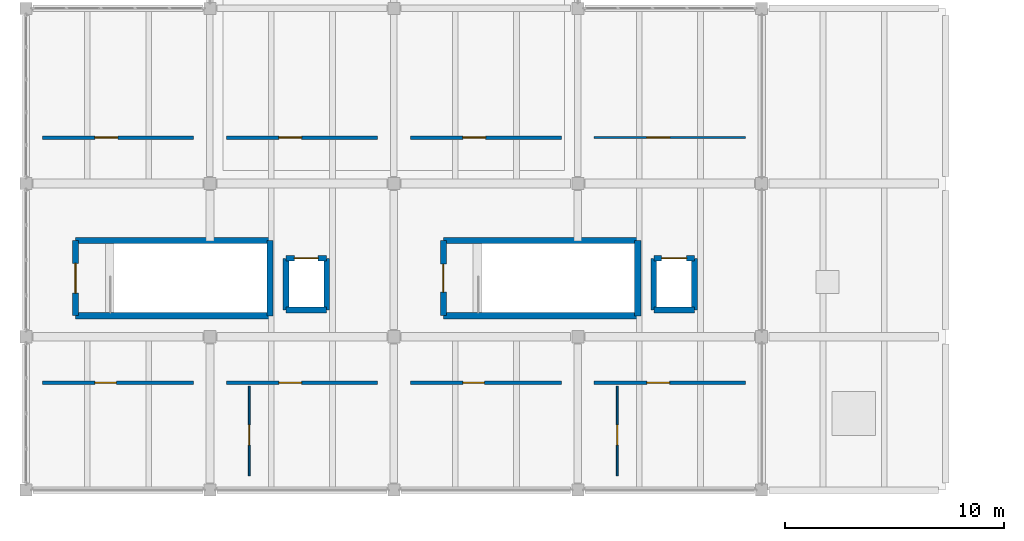
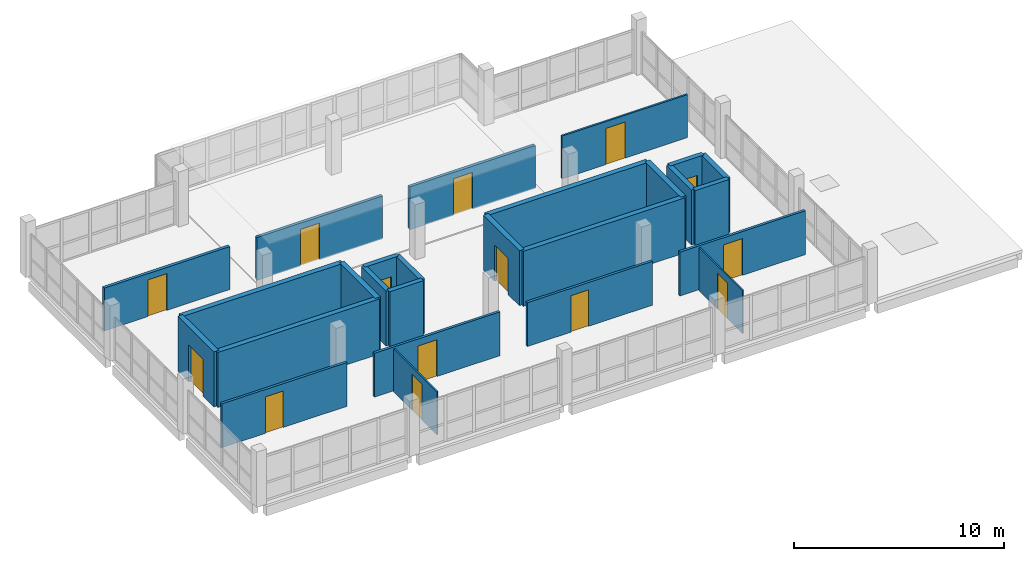
# One storey, part 22 of 24: 26 walls, 14 doors, 14 openings.
"""IFC4 building model written with IfcOpenShell, lengths in metres."""

import ifcopenshell
import ifcopenshell.guid

model = None  # the IFC model being written
_history = None  # IfcOwnerHistory: only IFC2X3 demands one
_inside = {}  # id of a spatial element -> (the spatial element, [elements in it])
_under = {}  # id of a project, library or spatial element -> (it, [spatial elements below it])
_declared = {}  # id of a project -> (the project, [libraries it declares])
_typed = {}  # id of a type object -> (the type object, [elements of that type])
_made_of = {}  # id of a material, layer set ... -> (it, [elements and type objects made of it])


def new_model(schema):
    """Start an empty IFC model of exactly this schema.

    Asked for "IFC4X3", IfcOpenShell would pick the latest addendum, in which some entities
    have other attributes; the version numbers below select the first issue.
    IFC2X3 requires an IfcOwnerHistory on every rooted entity: one is made here for all.
    """
    global model, _history
    if schema == "IFC4X3":
        model = ifcopenshell.file(schema_version=(4, 3, 0, 0))
    else:
        model = ifcopenshell.file(schema=schema)
    _inside.clear()
    _under.clear()
    _declared.clear()
    _typed.clear()
    _made_of.clear()
    _history = None
    if model.schema == "IFC2X3":
        org = make("IfcOrganization", Name="unknown")
        user = make(
            "IfcPersonAndOrganization",
            ThePerson=make("IfcPerson", FamilyName="unknown"),
            TheOrganization=org,
        )
        app = make(
            "IfcApplication",
            ApplicationDeveloper=org,
            Version="unknown",
            ApplicationFullName="unknown",
            ApplicationIdentifier="unknown",
        )
        _history = make(
            "IfcOwnerHistory",
            OwningUser=user,
            OwningApplication=app,
            ChangeAction="ADDED",
            CreationDate=0,
        )
    return model


def make(cls, **values):
    """One entity of the class cls with the attributes given. An attribute that is None is left unset."""
    return model.create_entity(
        cls, **{name: value for name, value in values.items() if value is not None}
    )


def rooted(cls, **values):
    """An entity with a GlobalId (a new one), such as an element, a storey or a relation."""
    return make(cls, GlobalId=ifcopenshell.guid.new(), OwnerHistory=_history, **values)


def si_unit(unit_type, name, prefix=None):
    """IfcSIUnit, for example si_unit("LENGTHUNIT", "METRE", prefix="MILLI")."""
    return make("IfcSIUnit", UnitType=unit_type, Prefix=prefix, Name=name)


def assignment(units):
    """IfcUnitAssignment: the units of a project."""
    return None if units is None else make("IfcUnitAssignment", Units=units)


def point(xyz):
    """IfcCartesianPoint."""
    return None if xyz is None else make("IfcCartesianPoint", Coordinates=xyz)


def direction(xyz):
    """IfcDirection."""
    return None if xyz is None else make("IfcDirection", DirectionRatios=xyz)


def frame(location, z_axis=None, x_axis=None):
    """IfcAxis2Placement3D, a coordinate frame: its origin and axes. An axis left out is left unset."""
    return make(
        "IfcAxis2Placement3D",
        Location=point(location),
        Axis=direction(z_axis),
        RefDirection=direction(x_axis),
    )


def frame_2d(location, x_axis=None):
    """IfcAxis2Placement2D, a coordinate frame in the plane: its origin and x axis."""
    return make(
        "IfcAxis2Placement2D", Location=point(location), RefDirection=direction(x_axis)
    )


def origin():
    """The frame at (0, 0, 0) with its axes left unset."""
    return frame((0.0, 0.0, 0.0))


def place(relative_to, where):
    """IfcLocalPlacement: puts the frame where relative to a parent placement (None: the world)."""
    return make(
        "IfcLocalPlacement", PlacementRelTo=relative_to, RelativePlacement=where
    )


def context(
    kind, dimensions, precision=None, world=None, true_north=None, identifier=None
):
    """IfcGeometricRepresentationContext, for example the 3D "Model" context."""
    return make(
        "IfcGeometricRepresentationContext",
        ContextIdentifier=identifier,
        ContextType=kind,
        CoordinateSpaceDimension=dimensions,
        Precision=precision,
        WorldCoordinateSystem=world,
        TrueNorth=true_north,
    )


def subcontext(parent, identifier, kind, view, scale=None):
    """IfcGeometricRepresentationSubContext, for example "Body" below "Model"."""
    return make(
        "IfcGeometricRepresentationSubContext",
        ContextIdentifier=identifier,
        ContextType=kind,
        ParentContext=parent,
        TargetScale=scale,
        TargetView=view,
    )


def project(units=None, contexts=None):
    """IfcProject with its units and contexts."""
    return rooted(
        "IfcProject",
        Name="project",
        RepresentationContexts=contexts,
        UnitsInContext=assignment(units),
    )


def spatial(cls, under=None, at=None, **own):
    """A site, building, storey or space (cls), placed at a placement, below another one or the project."""
    s = rooted(cls, ObjectPlacement=at, **own)
    if under is not None:
        _under.setdefault(under.id(), (under, []))[1].append(s)
    return s


def profile(cls, at=None, kind="AREA", **sizes):
    """A parametric profile (cls). Its sizes go by their IFC names, for example OverallWidth=200.0."""
    return make(cls, ProfileType=kind, Position=at, **sizes)


def rectangle(**sizes):
    """IfcRectangleProfileDef."""
    return profile("IfcRectangleProfileDef", **sizes)


def extrude(swept, where, along, depth):
    """IfcExtrudedAreaSolid: the profile swept, set in the frame where, extruded along a direction by depth."""
    return make(
        "IfcExtrudedAreaSolid",
        SweptArea=swept,
        Position=where,
        ExtrudedDirection=direction(along),
        Depth=depth,
    )


def shape(context_of_items, identifier, shape_type, items):
    """IfcShapeRepresentation: the items that make up one representation, for example the "Body"."""
    return make(
        "IfcShapeRepresentation",
        ContextOfItems=context_of_items,
        RepresentationIdentifier=identifier,
        RepresentationType=shape_type,
        Items=items,
    )


def material(Name=None, Category=None):
    """IfcMaterial."""
    return make("IfcMaterial", Name=Name, Category=Category)


def layer(
    of_material, thickness, ventilated=None, Name=None, Category=None, Priority=None
):
    """IfcMaterialLayer: one layer of a wall or slab, of a material (None: an air gap)."""
    return make(
        "IfcMaterialLayer",
        Material=of_material,
        LayerThickness=thickness,
        IsVentilated=ventilated,
        Name=Name,
        Category=Category,
        Priority=Priority,
    )


def layer_set(layers, Name=None):
    """IfcMaterialLayerSet."""
    return make("IfcMaterialLayerSet", MaterialLayers=layers, LayerSetName=Name)


def made_of(thing, what):
    """Note that an element or type object is made of a material, layer set ...; save() writes the relation."""
    if what is not None:
        _made_of.setdefault(what.id(), (what, []))[1].append(thing)
    return thing


def type_object(cls, material=None, **own):
    """A type object (cls), such as IfcWallType, which elements share."""
    return made_of(rooted(cls, **own), material)


def element(
    cls,
    number,
    at=None,
    inside=None,
    cuts=None,
    type_object=None,
    material=None,
    context=None,
    identifier="Body",
    shape_type=None,
    held_by="IfcProductDefinitionShape",
    body=None,
    shapes=None,
    **own,
):
    """One element of the class cls, such as IfcWall. Its Tag is "e" and its number.

    at: its placement. inside: the storey or other place that contains it. cuts: it is an
    opening in that element (IfcRelVoidsElement). A single representation is given by context,
    identifier, shape_type and body (its items); several are given by shapes. held_by: the class
    of the entity that holds the representations. save() writes the other relations.
    """
    e = rooted(cls, Tag="e%d" % number, ObjectPlacement=at, **own)
    if body is not None:
        shapes = [shape(context, identifier, shape_type, body)]
    if shapes is not None:
        e.Representation = make(held_by, Representations=shapes)
    if inside is not None:
        _inside.setdefault(inside.id(), (inside, []))[1].append(e)
    if cuts is not None:
        rooted(
            "IfcRelVoidsElement", RelatingBuildingElement=cuts, RelatedOpeningElement=e
        )
    if type_object is not None:
        _typed.setdefault(type_object.id(), (type_object, []))[1].append(e)
    return made_of(e, material)


def fill(opening, filler):
    """IfcRelFillsElement: the door or window that sits in an opening."""
    return rooted(
        "IfcRelFillsElement",
        RelatingOpeningElement=opening,
        RelatedBuildingElement=filler,
    )


def aggregate(whole, parts):
    """IfcRelAggregates: a whole, such as a stair, and the parts it consists of."""
    return rooted("IfcRelAggregates", RelatingObject=whole, RelatedObjects=parts)


def save(model, path):
    """Write the relations noted so far, then the file.

    IfcRelAggregates (storeys below a building ...), IfcRelContainedInSpatialStructure (elements
    in a storey), IfcRelDefinesByType, IfcRelAssociatesMaterial and IfcRelDeclares: one each for
    every whole, place, type object, material and project.
    """
    for whole, parts in _under.values():
        aggregate(whole, parts)
    for where, things in _inside.values():
        rooted(
            "IfcRelContainedInSpatialStructure",
            RelatedElements=things,
            RelatingStructure=where,
        )
    for kind, things in _typed.values():
        rooted("IfcRelDefinesByType", RelatedObjects=things, RelatingType=kind)
    for what, things in _made_of.values():
        rooted("IfcRelAssociatesMaterial", RelatedObjects=things, RelatingMaterial=what)
    for by, libraries in _declared.values():
        rooted("IfcRelDeclares", RelatingContext=by, RelatedDefinitions=libraries)
    model.write(path)


model = new_model("IFC4")

# Units and contexts
model_context = context("Model", 3, precision=1e-05, world=origin(), true_north=direction((0.0, 1.0)))
body_context = subcontext(model_context, "Body", "Model", "MODEL_VIEW")
ifc_project = project(units=[si_unit("LENGTHUNIT", "METRE"), si_unit("AREAUNIT", "SQUARE_METRE"), si_unit("VOLUMEUNIT", "CUBIC_METRE"), si_unit("PLANEANGLEUNIT", "RADIAN"), si_unit("MASSUNIT", "GRAM", prefix="KILO"), si_unit("THERMODYNAMICTEMPERATUREUNIT", "KELVIN"), si_unit("POWERUNIT", "WATT")], contexts=[model_context])

# Site, building, storey
site_placement = place(None, origin())
site = spatial("IfcSite", under=ifc_project, at=site_placement, CompositionType="ELEMENT")
building_placement = place(site_placement, origin())
building = spatial("IfcBuilding", under=site, at=building_placement, Name="Mavoryth Pier Ferry Terminal", CompositionType="ELEMENT")
storey_placement = place(building_placement, frame((0.0, 0.0, 16.320068359375)))
storey = spatial("IfcBuildingStorey", under=building, at=storey_placement, Name="L04", CompositionType="ELEMENT", Elevation=16.320068359375)

# Walls
ifc_material_1 = material(Name="Concrete C35/45", Category="concrete")
ifc_layer_1 = layer(ifc_material_1, 0.260009765625, Name="Concrete C35/45", Category="concrete")
ifc_layer_set_1 = layer_set([ifc_layer_1], Name="Concrete C35/45 - CoreWall-LiftShaft-RC260")
wall_type_1 = type_object("IfcWallType", Name="CoreWall-LiftShaft-RC260", PredefinedType="SHEAR", material=ifc_layer_set_1)
wall_1_placement = place(storey_placement, frame((53.8701171875, 8.219970703125, 0.0), z_axis=(0.0, 0.0, 1.0), x_axis=(1.0, 0.0, 0.0)))
element("IfcWall", 1, at=wall_1_placement, inside=storey, type_object=wall_type_1, Name="Interior Wall IW-L04-0241", PredefinedType="SHEAR", context=body_context, shape_type="SweptSolid", body=[
    extrude(rectangle(XDim=1.85986328125, YDim=0.260009765625, at=frame_2d((0.929931640625, 0.0))), origin(), (0.0, 0.0, 1.0), 3.199951171875),
])
for number, where, z_axis, x_axis, name in (
    (2, (55.72998046875, 8.219970703125, 0.0), (0.0, 0.0, 1.0), (0.0, 1.0, 0.0), "Interior Wall IW-L04-0242"),
    (3, (53.8701171875, 10.580078125, 0.0), (0.0, 0.0, 1.0), (0.0, -1.0, 0.0), "Interior Wall IW-L04-0243"),
):
    element("IfcWall", number, at=place(storey_placement, frame(where, z_axis=z_axis, x_axis=x_axis)), inside=storey, type_object=wall_type_1, Name=name, PredefinedType="SHEAR", context=body_context, shape_type="SweptSolid", body=[
        extrude(rectangle(XDim=2.360107421875, YDim=0.260009765625, at=frame_2d((1.18017578125, 0.0))), origin(), (0.0, 0.0, 1.0), 3.199951171875),
    ])

# Wall, opening, door
wall_2_placement = place(storey_placement, frame((53.8701171875, 10.580078125, 0.0), z_axis=(0.0, 0.0, 1.0), x_axis=(1.0, 0.0, 0.0)))
wall_2 = element("IfcWall", 4, at=wall_2_placement, inside=storey, type_object=wall_type_1, Name="Interior Wall IW-L04-0244", PredefinedType="SHEAR", context=body_context, shape_type="SweptSolid", body=[
    extrude(rectangle(XDim=1.85986328125, YDim=0.260009765625, at=frame_2d((0.929931640625, 0.0))), origin(), (0.0, 0.0, 1.0), 3.199951171875),
])
opening_1_placement = place(wall_2_placement, frame((0.389892578125, 0.0, 0.0)))
opening_1 = element("IfcOpeningElement", 5, at=opening_1_placement, cuts=wall_2, Name="Opening LD03", PredefinedType="OPENING", context=body_context, shape_type="SweptSolid", body=[
    extrude(rectangle(XDim=1.080078125, YDim=2.139892578125, at=frame_2d((0.5400390625, 1.06982421875))), frame((0.0, 0.139892578125, 0.0), z_axis=(0.0, -1.0, 0.0), x_axis=(1.0, 0.0, 0.0)), (0.0, 0.0, 1.0), 0.280029296875),
])
ifc_material_2 = material(Name="EN 81-72 Fire-Rated Lift Landing Door")
door_type_1 = type_object("IfcDoorType", Name="Door-FireLiftLanding-1080x2140", OperationType="NOTDEFINED", PredefinedType="DOOR", material=ifc_material_2)
door_1_placement = place(opening_1_placement, origin())
door_1 = element("IfcDoor", 6, at=door_1_placement, inside=storey, type_object=door_type_1, Name="Lift FL01 Landing Door L04", OperationType="DOUBLE_DOOR_SLIDING", OverallHeight=2.139892578125, OverallWidth=1.080078125, PredefinedType="DOOR", context=body_context, shape_type="SweptSolid", body=[
    extrude(rectangle(XDim=1.080078125, YDim=2.139892578125, at=frame_2d((0.5400390625, 1.06982421875))), frame((0.0, 0.02490234375, 0.0), z_axis=(0.0, -1.0, 0.0), x_axis=(1.0, 0.0, 0.0)), (0.0, 0.0, 1.0), 0.050048828125),
])
fill(opening_1, door_1)

# Walls
wall_3_placement = place(storey_placement, frame((70.669921875, 8.219970703125, 0.0), z_axis=(0.0, 0.0, 1.0), x_axis=(1.0, 0.0, 0.0)))
element("IfcWall", 7, at=wall_3_placement, inside=storey, type_object=wall_type_1, Name="Interior Wall IW-L04-0281", PredefinedType="SHEAR", context=body_context, shape_type="SweptSolid", body=[
    extrude(rectangle(XDim=1.860107421875, YDim=0.260009765625, at=frame_2d((0.93017578125, 0.0))), origin(), (0.0, 0.0, 1.0), 3.199951171875),
])
for number, where, z_axis, x_axis, name in (
    (8, (72.530029296875, 8.219970703125, 0.0), (0.0, 0.0, 1.0), (0.0, 1.0, 0.0), "Interior Wall IW-L04-0282"),
    (9, (70.669921875, 10.580078125, 0.0), (0.0, 0.0, 1.0), (0.0, -1.0, 0.0), "Interior Wall IW-L04-0283"),
):
    element("IfcWall", number, at=place(storey_placement, frame(where, z_axis=z_axis, x_axis=x_axis)), inside=storey, type_object=wall_type_1, Name=name, PredefinedType="SHEAR", context=body_context, shape_type="SweptSolid", body=[
        extrude(rectangle(XDim=2.360107421875, YDim=0.260009765625, at=frame_2d((1.18017578125, 0.0))), origin(), (0.0, 0.0, 1.0), 3.199951171875),
    ])

# Wall, opening, door
wall_4_placement = place(storey_placement, frame((70.669921875, 10.580078125, 0.0), z_axis=(0.0, 0.0, 1.0), x_axis=(1.0, 0.0, 0.0)))
wall_4 = element("IfcWall", 10, at=wall_4_placement, inside=storey, type_object=wall_type_1, Name="Interior Wall IW-L04-0284", PredefinedType="SHEAR", context=body_context, shape_type="SweptSolid", body=[
    extrude(rectangle(XDim=1.860107421875, YDim=0.260009765625, at=frame_2d((0.93017578125, 0.0))), origin(), (0.0, 0.0, 1.0), 3.199951171875),
])
opening_2_placement = place(wall_4_placement, frame((0.360107421875, 0.0, 0.0)))
opening_2 = element("IfcOpeningElement", 11, at=opening_2_placement, cuts=wall_4, Name="Opening LD02", PredefinedType="OPENING", context=body_context, shape_type="SweptSolid", body=[
    extrude(rectangle(XDim=1.139892578125, YDim=2.139892578125, at=frame_2d((0.56982421875, 1.06982421875))), frame((0.0, 0.139892578125, 0.0), z_axis=(0.0, -1.0, 0.0), x_axis=(1.0, 0.0, 0.0)), (0.0, 0.0, 1.0), 0.280029296875),
])
ifc_material_3 = material(Name="Brushed Stainless Steel Lift Landing Door", Category="steel")
door_type_2 = type_object("IfcDoorType", Name="Door-LiftLanding-1140x2140", OperationType="NOTDEFINED", PredefinedType="DOOR", material=ifc_material_3)
door_2_placement = place(opening_2_placement, origin())
door_2 = element("IfcDoor", 12, at=door_2_placement, inside=storey, type_object=door_type_2, Name="Lift LF10 Landing Door L04", OperationType="DOUBLE_DOOR_SLIDING", OverallHeight=2.139892578125, OverallWidth=1.139892578125, PredefinedType="DOOR", context=body_context, shape_type="SweptSolid", body=[
    extrude(rectangle(XDim=1.139892578125, YDim=2.139892578125, at=frame_2d((0.56982421875, 1.06982421875))), frame((0.0, 0.02490234375, 0.0), z_axis=(0.0, -1.0, 0.0), x_axis=(1.0, 0.0, 0.0)), (0.0, 0.0, 1.0), 0.050048828125),
])
fill(opening_2, door_2)

# Walls
ifc_material_4 = material(Name="Concrete C40/50", Category="concrete")
ifc_layer_2 = layer(ifc_material_4, 0.280029296875, Name="Concrete C40/50", Category="concrete")
ifc_layer_set_2 = layer_set([ifc_layer_2], Name="Concrete C40/50 - CoreWall-Shear-RC280")
wall_type_2 = type_object("IfcWallType", Name="CoreWall-Shear-RC280", PredefinedType="SHEAR", material=ifc_layer_set_2)
for number, where, z_axis, x_axis, name in (
    (13, (44.260009765625, 7.9599609375, 0.0), (0.0, 0.0, 1.0), (1.0, 0.0, 0.0), "Interior Wall IW-L04-0221"),
    (14, (44.260009765625, 11.389892578125, 0.0), (0.0, 0.0, 1.0), (1.0, 0.0, 0.0), "Interior Wall IW-L04-0222"),
):
    element("IfcWall", number, at=place(storey_placement, frame(where, z_axis=z_axis, x_axis=x_axis)), inside=storey, type_object=wall_type_2, Name=name, PredefinedType="SHEAR", context=body_context, shape_type="SweptSolid", body=[
        extrude(rectangle(XDim=8.8798828125, YDim=0.280029296875, at=frame_2d((4.43994140625, 0.0))), origin(), (0.0, 0.0, 1.0), 3.199951171875),
    ])

# Wall, opening, door
wall_5_placement = place(storey_placement, frame((44.260009765625, 11.389892578125, 0.0), z_axis=(0.0, 0.0, 1.0), x_axis=(0.0, -1.0, 0.0)))
wall_5 = element("IfcWall", 15, at=wall_5_placement, inside=storey, type_object=wall_type_2, Name="Interior Wall IW-L04-0223", PredefinedType="SHEAR", context=body_context, shape_type="SweptSolid", body=[
    extrude(rectangle(XDim=3.429931640625, YDim=0.280029296875, at=frame_2d((1.71484375, 0.0))), origin(), (0.0, 0.0, 1.0), 3.199951171875),
])
opening_3_placement = place(wall_5_placement, frame((1.034912109375, 0.0, 0.0)))
opening_3 = element("IfcOpeningElement", 16, at=opening_3_placement, cuts=wall_5, Name="Opening ID02-056", PredefinedType="OPENING", context=body_context, shape_type="SweptSolid", body=[
    extrude(rectangle(XDim=1.360107421875, YDim=2.14990234375, at=frame_2d((0.68017578125, 1.074951171875))), frame((0.0, 0.14990234375, 0.0), z_axis=(0.0, -1.0, 0.0), x_axis=(1.0, 0.0, 0.0)), (0.0, 0.0, 1.0), 0.300048828125),
])
ifc_material_5 = material(Name="Painted Galvanised Steel Fire Door", Category="steel")
door_type_3 = type_object("IfcDoorType", Name="Door-StairFire-1360x2150", OperationType="NOTDEFINED", PredefinedType="DOOR", material=ifc_material_5)
door_3_placement = place(opening_3_placement, origin())
door_3 = element("IfcDoor", 17, at=door_3_placement, inside=storey, type_object=door_type_3, Name="Core C5A Stair Exit Door L04", OperationType="SINGLE_SWING_LEFT", OverallHeight=2.14990234375, OverallWidth=1.360107421875, PredefinedType="DOOR", context=body_context, shape_type="SweptSolid", body=[
    extrude(rectangle(XDim=1.360107421875, YDim=2.14990234375, at=frame_2d((0.68017578125, 1.074951171875))), frame((0.0, 0.02490234375, 0.0), z_axis=(0.0, -1.0, 0.0), x_axis=(1.0, 0.0, 0.0)), (0.0, 0.0, 1.0), 0.050048828125),
])
fill(opening_3, door_3)

# Walls
wall_6_placement = place(storey_placement, frame((53.139892578125, 7.9599609375, 0.0), z_axis=(0.0, 0.0, 1.0), x_axis=(0.0, 1.0, 0.0)))
element("IfcWall", 18, at=wall_6_placement, inside=storey, type_object=wall_type_2, Name="Interior Wall IW-L04-0224", PredefinedType="SHEAR", context=body_context, shape_type="SweptSolid", body=[
    extrude(rectangle(XDim=3.429931640625, YDim=0.280029296875, at=frame_2d((1.71484375, 0.0))), origin(), (0.0, 0.0, 1.0), 3.199951171875),
])
for number, where, z_axis, x_axis, name in (
    (19, (61.06005859375, 7.9599609375, 0.0), (0.0, 0.0, 1.0), (1.0, 0.0, 0.0), "Interior Wall IW-L04-0261"),
    (20, (61.06005859375, 11.389892578125, 0.0), (0.0, 0.0, 1.0), (1.0, 0.0, 0.0), "Interior Wall IW-L04-0262"),
):
    element("IfcWall", number, at=place(storey_placement, frame(where, z_axis=z_axis, x_axis=x_axis)), inside=storey, type_object=wall_type_2, Name=name, PredefinedType="SHEAR", context=body_context, shape_type="SweptSolid", body=[
        extrude(rectangle(XDim=8.8798828125, YDim=0.280029296875, at=frame_2d((4.43994140625, 0.0))), origin(), (0.0, 0.0, 1.0), 3.199951171875),
    ])

# Wall, opening, door
wall_7_placement = place(storey_placement, frame((61.06005859375, 11.389892578125, 0.0), z_axis=(0.0, 0.0, 1.0), x_axis=(0.0, -1.0, 0.0)))
wall_7 = element("IfcWall", 21, at=wall_7_placement, inside=storey, type_object=wall_type_2, Name="Interior Wall IW-L04-0263", PredefinedType="SHEAR", context=body_context, shape_type="SweptSolid", body=[
    extrude(rectangle(XDim=3.429931640625, YDim=0.280029296875, at=frame_2d((1.71484375, 0.0))), origin(), (0.0, 0.0, 1.0), 3.199951171875),
])
opening_4_placement = place(wall_7_placement, frame((1.074951171875, 0.0, 0.0)))
opening_4 = element("IfcOpeningElement", 22, at=opening_4_placement, cuts=wall_7, Name="Opening ID03-066", PredefinedType="OPENING", context=body_context, shape_type="SweptSolid", body=[
    extrude(rectangle(XDim=1.280029296875, YDim=2.10009765625, at=frame_2d((0.64013671875, 1.050048828125))), frame((0.0, 0.14990234375, 0.0), z_axis=(0.0, -1.0, 0.0), x_axis=(1.0, 0.0, 0.0)), (0.0, 0.0, 1.0), 0.300048828125),
])
door_type_4 = type_object("IfcDoorType", Name="Door-StairFire-1280x2100", OperationType="NOTDEFINED", PredefinedType="DOOR", material=ifc_material_5)
door_4_placement = place(opening_4_placement, origin())
door_4 = element("IfcDoor", 23, at=door_4_placement, inside=storey, type_object=door_type_4, Name="Core C5B Stair Exit Door L04", OperationType="SINGLE_SWING_RIGHT", OverallHeight=2.10009765625, OverallWidth=1.280029296875, PredefinedType="DOOR", context=body_context, shape_type="SweptSolid", body=[
    extrude(rectangle(XDim=1.280029296875, YDim=2.10009765625, at=frame_2d((0.64013671875, 1.050048828125))), frame((0.0, 0.02490234375, 0.0), z_axis=(0.0, -1.0, 0.0), x_axis=(1.0, 0.0, 0.0)), (0.0, 0.0, 1.0), 0.050048828125),
])
fill(opening_4, door_4)

# Wall
wall_8_placement = place(storey_placement, frame((69.93994140625, 7.9599609375, 0.0), z_axis=(0.0, 0.0, 1.0), x_axis=(0.0, 1.0, 0.0)))
element("IfcWall", 24, at=wall_8_placement, inside=storey, type_object=wall_type_2, Name="Interior Wall IW-L04-0264", PredefinedType="SHEAR", context=body_context, shape_type="SweptSolid", body=[
    extrude(rectangle(XDim=3.429931640625, YDim=0.280029296875, at=frame_2d((1.71484375, 0.0))), origin(), (0.0, 0.0, 1.0), 3.199951171875),
])

# Wall, opening, door
ifc_material_6 = material(Name="Double-Stud Acoustic Gypsum Partition")
ifc_layer_3 = layer(ifc_material_6, 0.159912109375, Name="Double-Stud Acoustic Gypsum Partition")
ifc_layer_set_3 = layer_set([ifc_layer_3], Name="Double-Stud Acoustic Gypsum Partition - Part-Acoustic-160")
wall_type_3 = type_object("IfcWallType", Name="Part-Acoustic-160", PredefinedType="PARTITIONING", material=ifc_layer_set_3)
wall_9_placement = place(storey_placement, frame((42.75, 16.10009765625, 0.0), z_axis=(0.0, 0.0, 1.0), x_axis=(1.0, 0.0, 0.0)))
wall_9 = element("IfcWall", 25, at=wall_9_placement, inside=storey, type_object=wall_type_3, Name="Interior Wall IW-L04-0496", PredefinedType="PARTITIONING", context=body_context, shape_type="SweptSolid", body=[
    extrude(rectangle(XDim=6.89990234375, YDim=0.159912109375, at=frame_2d((3.449951171875, 0.0))), origin(), (0.0, 0.0, 1.0), 2.5),
])
opening_5_placement = place(wall_9_placement, frame((2.39990234375, 0.0, 0.0)))
opening_5 = element("IfcOpeningElement", 26, at=opening_5_placement, cuts=wall_9, Name="Opening ID08-165", PredefinedType="OPENING", context=body_context, shape_type="SweptSolid", body=[
    extrude(rectangle(XDim=1.0400390625, YDim=2.139892578125, at=frame_2d((0.52001953125, 1.06982421875))), frame((0.0, 0.08984375, 0.0), z_axis=(0.0, -1.0, 0.0), x_axis=(1.0, 0.0, 0.0)), (0.0, 0.0, 1.0), 0.179931640625),
])
ifc_material_7 = material(Name="Solid-Core Oak Veneer Timber Door", Category="wood")
door_type_5 = type_object("IfcDoorType", Name="Door-RoomSingle-1040x2140", OperationType="NOTDEFINED", PredefinedType="DOOR", material=ifc_material_7)
door_5_placement = place(opening_5_placement, origin())
door_5 = element("IfcDoor", 27, at=door_5_placement, inside=storey, type_object=door_type_5, Name="Interior Door ID08-165", OperationType="SINGLE_SWING_RIGHT", OverallHeight=2.139892578125, OverallWidth=1.0400390625, PredefinedType="DOOR", context=body_context, shape_type="SweptSolid", body=[
    extrude(rectangle(XDim=1.0400390625, YDim=2.139892578125, at=frame_2d((0.52001953125, 1.06982421875))), frame((0.0, 0.02490234375, 0.0), z_axis=(0.0, -1.0, 0.0), x_axis=(1.0, 0.0, 0.0)), (0.0, 0.0, 1.0), 0.050048828125),
])
fill(opening_5, door_5)

wall_10_placement = place(storey_placement, frame((51.14990234375, 16.10009765625, 0.0), z_axis=(0.0, 0.0, 1.0), x_axis=(1.0, 0.0, 0.0)))
wall_10 = element("IfcWall", 28, at=wall_10_placement, inside=storey, type_object=wall_type_3, Name="Interior Wall IW-L04-0499", PredefinedType="PARTITIONING", context=body_context, shape_type="SweptSolid", body=[
    extrude(rectangle(XDim=6.900146484375, YDim=0.159912109375, at=frame_2d((3.4501953125, 0.0))), origin(), (0.0, 0.0, 1.0), 2.5),
])
opening_6_placement = place(wall_10_placement, frame((2.39990234375, 0.0, 0.0)))
opening_6 = element("IfcOpeningElement", 29, at=opening_6_placement, cuts=wall_10, Name="Opening ID08-168", PredefinedType="OPENING", context=body_context, shape_type="SweptSolid", body=[
    extrude(rectangle(XDim=1.0400390625, YDim=2.139892578125, at=frame_2d((0.52001953125, 1.06982421875))), frame((0.0, 0.08984375, 0.0), z_axis=(0.0, -1.0, 0.0), x_axis=(1.0, 0.0, 0.0)), (0.0, 0.0, 1.0), 0.179931640625),
])
door_6_placement = place(opening_6_placement, origin())
door_6 = element("IfcDoor", 30, at=door_6_placement, inside=storey, type_object=door_type_5, Name="Interior Door ID08-168", OperationType="SINGLE_SWING_LEFT", OverallHeight=2.139892578125, OverallWidth=1.0400390625, PredefinedType="DOOR", context=body_context, shape_type="SweptSolid", body=[
    extrude(rectangle(XDim=1.0400390625, YDim=2.139892578125, at=frame_2d((0.52001953125, 1.06982421875))), frame((0.0, 0.02490234375, 0.0), z_axis=(0.0, -1.0, 0.0), x_axis=(1.0, 0.0, 0.0)), (0.0, 0.0, 1.0), 0.050048828125),
])
fill(opening_6, door_6)

wall_11_placement = place(storey_placement, frame((59.550048828125, 16.10009765625, 0.0), z_axis=(0.0, 0.0, 1.0), x_axis=(1.0, 0.0, 0.0)))
wall_11 = element("IfcWall", 31, at=wall_11_placement, inside=storey, type_object=wall_type_3, Name="Interior Wall IW-L04-0501", PredefinedType="PARTITIONING", context=body_context, shape_type="SweptSolid", body=[
    extrude(rectangle(XDim=6.89990234375, YDim=0.159912109375, at=frame_2d((3.449951171875, 0.0))), origin(), (0.0, 0.0, 1.0), 2.5),
])
opening_7_placement = place(wall_11_placement, frame((2.39990234375, 0.0, 0.0)))
opening_7 = element("IfcOpeningElement", 32, at=opening_7_placement, cuts=wall_11, Name="Opening ID08-170", PredefinedType="OPENING", context=body_context, shape_type="SweptSolid", body=[
    extrude(rectangle(XDim=1.0400390625, YDim=2.139892578125, at=frame_2d((0.52001953125, 1.06982421875))), frame((0.0, 0.08984375, 0.0), z_axis=(0.0, -1.0, 0.0), x_axis=(1.0, 0.0, 0.0)), (0.0, 0.0, 1.0), 0.179931640625),
])
door_7_placement = place(opening_7_placement, origin())
door_7 = element("IfcDoor", 33, at=door_7_placement, inside=storey, type_object=door_type_5, Name="Interior Door ID08-170", OperationType="SINGLE_SWING_LEFT", OverallHeight=2.139892578125, OverallWidth=1.0400390625, PredefinedType="DOOR", context=body_context, shape_type="SweptSolid", body=[
    extrude(rectangle(XDim=1.0400390625, YDim=2.139892578125, at=frame_2d((0.52001953125, 1.06982421875))), frame((0.0, 0.02490234375, 0.0), z_axis=(0.0, -1.0, 0.0), x_axis=(1.0, 0.0, 0.0)), (0.0, 0.0, 1.0), 0.050048828125),
])
fill(opening_7, door_7)

ifc_material_8 = material(Name="Fire-Rated Gypsum Stud Partition")
ifc_layer_4 = layer(ifc_material_8, 0.139892578125, Name="Fire-Rated Gypsum Stud Partition")
ifc_layer_set_4 = layer_set([ifc_layer_4], Name="Fire-Rated Gypsum Stud Partition - Part-Corridor-140")
wall_type_4 = type_object("IfcWallType", Name="Part-Corridor-140", PredefinedType="PARTITIONING", material=ifc_layer_set_4)
wall_12_placement = place(storey_placement, frame((42.75, 4.89990234375, 0.0), z_axis=(0.0, 0.0, 1.0), x_axis=(1.0, 0.0, 0.0)))
wall_12 = element("IfcWall", 34, at=wall_12_placement, inside=storey, type_object=wall_type_4, Name="Interior Wall IW-L04-0495", PredefinedType="PARTITIONING", context=body_context, shape_type="SweptSolid", body=[
    extrude(rectangle(XDim=6.89990234375, YDim=0.139892578125, at=frame_2d((3.449951171875, 0.0))), origin(), (0.0, 0.0, 1.0), 2.550048828125),
])
opening_8_placement = place(wall_12_placement, frame((2.39990234375, 0.0, 0.0)))
opening_8 = element("IfcOpeningElement", 35, at=opening_8_placement, cuts=wall_12, Name="Opening ID09-164", PredefinedType="OPENING", context=body_context, shape_type="SweptSolid", body=[
    extrude(rectangle(XDim=0.97998046875, YDim=2.1201171875, at=frame_2d((0.489990234375, 1.06005859375))), frame((0.0, 0.079833984375, 0.0), z_axis=(0.0, -1.0, 0.0), x_axis=(1.0, 0.0, 0.0)), (0.0, 0.0, 1.0), 0.159912109375),
])
door_type_6 = type_object("IfcDoorType", Name="Door-RoomSingle-980x2120", OperationType="NOTDEFINED", PredefinedType="DOOR", material=ifc_material_7)
door_8_placement = place(opening_8_placement, origin())
door_8 = element("IfcDoor", 36, at=door_8_placement, inside=storey, type_object=door_type_6, Name="Interior Door ID09-164", OperationType="SINGLE_SWING_LEFT", OverallHeight=2.1201171875, OverallWidth=0.97998046875, PredefinedType="DOOR", context=body_context, shape_type="SweptSolid", body=[
    extrude(rectangle(XDim=0.97998046875, YDim=2.1201171875, at=frame_2d((0.489990234375, 1.06005859375))), frame((0.0, 0.02490234375, 0.0), z_axis=(0.0, -1.0, 0.0), x_axis=(1.0, 0.0, 0.0)), (0.0, 0.0, 1.0), 0.050048828125),
])
fill(opening_8, door_8)

wall_13_placement = place(storey_placement, frame((51.14990234375, 4.89990234375, 0.0), z_axis=(0.0, 0.0, 1.0), x_axis=(1.0, 0.0, 0.0)))
wall_13 = element("IfcWall", 37, at=wall_13_placement, inside=storey, type_object=wall_type_4, Name="Interior Wall IW-L04-0497", PredefinedType="PARTITIONING", context=body_context, shape_type="SweptSolid", body=[
    extrude(rectangle(XDim=6.900146484375, YDim=0.139892578125, at=frame_2d((3.4501953125, 0.0))), origin(), (0.0, 0.0, 1.0), 2.550048828125),
])
opening_9_placement = place(wall_13_placement, frame((2.39990234375, 0.0, 0.0)))
opening_9 = element("IfcOpeningElement", 38, at=opening_9_placement, cuts=wall_13, Name="Opening ID08-166", PredefinedType="OPENING", context=body_context, shape_type="SweptSolid", body=[
    extrude(rectangle(XDim=1.0400390625, YDim=2.139892578125, at=frame_2d((0.52001953125, 1.06982421875))), frame((0.0, 0.079833984375, 0.0), z_axis=(0.0, -1.0, 0.0), x_axis=(1.0, 0.0, 0.0)), (0.0, 0.0, 1.0), 0.159912109375),
])
door_9_placement = place(opening_9_placement, origin())
door_9 = element("IfcDoor", 39, at=door_9_placement, inside=storey, type_object=door_type_5, Name="Interior Door ID08-166", OperationType="SINGLE_SWING_LEFT", OverallHeight=2.139892578125, OverallWidth=1.0400390625, PredefinedType="DOOR", context=body_context, shape_type="SweptSolid", body=[
    extrude(rectangle(XDim=1.0400390625, YDim=2.139892578125, at=frame_2d((0.52001953125, 1.06982421875))), frame((0.0, 0.02490234375, 0.0), z_axis=(0.0, -1.0, 0.0), x_axis=(1.0, 0.0, 0.0)), (0.0, 0.0, 1.0), 0.050048828125),
])
fill(opening_9, door_9)

wall_14_placement = place(storey_placement, frame((59.550048828125, 4.89990234375, 0.0), z_axis=(0.0, 0.0, 1.0), x_axis=(1.0, 0.0, 0.0)))
wall_14 = element("IfcWall", 40, at=wall_14_placement, inside=storey, type_object=wall_type_4, Name="Interior Wall IW-L04-0500", PredefinedType="PARTITIONING", context=body_context, shape_type="SweptSolid", body=[
    extrude(rectangle(XDim=6.89990234375, YDim=0.139892578125, at=frame_2d((3.449951171875, 0.0))), origin(), (0.0, 0.0, 1.0), 2.550048828125),
])
opening_10_placement = place(wall_14_placement, frame((2.39990234375, 0.0, 0.0)))
opening_10 = element("IfcOpeningElement", 41, at=opening_10_placement, cuts=wall_14, Name="Opening ID09-169", PredefinedType="OPENING", context=body_context, shape_type="SweptSolid", body=[
    extrude(rectangle(XDim=0.97998046875, YDim=2.1201171875, at=frame_2d((0.489990234375, 1.06005859375))), frame((0.0, 0.079833984375, 0.0), z_axis=(0.0, -1.0, 0.0), x_axis=(1.0, 0.0, 0.0)), (0.0, 0.0, 1.0), 0.159912109375),
])
door_10_placement = place(opening_10_placement, origin())
door_10 = element("IfcDoor", 42, at=door_10_placement, inside=storey, type_object=door_type_6, Name="Interior Door ID09-169", OperationType="SINGLE_SWING_RIGHT", OverallHeight=2.1201171875, OverallWidth=0.97998046875, PredefinedType="DOOR", context=body_context, shape_type="SweptSolid", body=[
    extrude(rectangle(XDim=0.97998046875, YDim=2.1201171875, at=frame_2d((0.489990234375, 1.06005859375))), frame((0.0, 0.02490234375, 0.0), z_axis=(0.0, -1.0, 0.0), x_axis=(1.0, 0.0, 0.0)), (0.0, 0.0, 1.0), 0.050048828125),
])
fill(opening_10, door_10)

wall_15_placement = place(storey_placement, frame((67.949951171875, 4.89990234375, 0.0), z_axis=(0.0, 0.0, 1.0), x_axis=(1.0, 0.0, 0.0)))
wall_15 = element("IfcWall", 43, at=wall_15_placement, inside=storey, type_object=wall_type_4, Name="Interior Wall IW-L04-0502", PredefinedType="PARTITIONING", context=body_context, shape_type="SweptSolid", body=[
    extrude(rectangle(XDim=6.900146484375, YDim=0.139892578125, at=frame_2d((3.4501953125, 0.0))), origin(), (0.0, 0.0, 1.0), 2.550048828125),
])
opening_11_placement = place(wall_15_placement, frame((2.39990234375, 0.0, 0.0)))
opening_11 = element("IfcOpeningElement", 44, at=opening_11_placement, cuts=wall_15, Name="Opening ID08-171", PredefinedType="OPENING", context=body_context, shape_type="SweptSolid", body=[
    extrude(rectangle(XDim=1.0400390625, YDim=2.139892578125, at=frame_2d((0.52001953125, 1.06982421875))), frame((0.0, 0.079833984375, 0.0), z_axis=(0.0, -1.0, 0.0), x_axis=(1.0, 0.0, 0.0)), (0.0, 0.0, 1.0), 0.159912109375),
])
door_11_placement = place(opening_11_placement, origin())
door_11 = element("IfcDoor", 45, at=door_11_placement, inside=storey, type_object=door_type_5, Name="Interior Door ID08-171", OperationType="SINGLE_SWING_RIGHT", OverallHeight=2.139892578125, OverallWidth=1.0400390625, PredefinedType="DOOR", context=body_context, shape_type="SweptSolid", body=[
    extrude(rectangle(XDim=1.0400390625, YDim=2.139892578125, at=frame_2d((0.52001953125, 1.06982421875))), frame((0.0, 0.02490234375, 0.0), z_axis=(0.0, -1.0, 0.0), x_axis=(1.0, 0.0, 0.0)), (0.0, 0.0, 1.0), 0.050048828125),
])
fill(opening_11, door_11)

ifc_material_9 = material(Name="Lightweight Glazed Acoustic Partition")
ifc_layer_5 = layer(ifc_material_9, 0.080078125, Name="Lightweight Glazed Acoustic Partition")
ifc_layer_set_5 = layer_set([ifc_layer_5], Name="Lightweight Glazed Acoustic Partition - Part-Office-080")
wall_type_5 = type_object("IfcWallType", Name="Part-Office-080", PredefinedType="PARTITIONING", material=ifc_layer_set_5)
wall_16_placement = place(storey_placement, frame((52.199951171875, 0.64990234375, 0.0), z_axis=(0.0, 0.0, 1.0), x_axis=(0.0, 1.0, 0.0)))
wall_16 = element("IfcWall", 46, at=wall_16_placement, inside=storey, type_object=wall_type_5, Name="Interior Wall IW-L04-0498", PredefinedType="PARTITIONING", context=body_context, shape_type="SweptSolid", body=[
    extrude(rectangle(XDim=4.10009765625, YDim=0.080078125, at=frame_2d((2.050048828125, 0.0))), origin(), (0.0, 0.0, 1.0), 2.5),
])
opening_12_placement = place(wall_16_placement, frame((1.39990234375, 0.0, 0.0)))
opening_12 = element("IfcOpeningElement", 47, at=opening_12_placement, cuts=wall_16, Name="Opening ID10-167", PredefinedType="OPENING", context=body_context, shape_type="SweptSolid", body=[
    extrude(rectangle(XDim=0.93994140625, YDim=2.080078125, at=frame_2d((0.469970703125, 1.0400390625))), frame((0.0, 0.050048828125, 0.0), z_axis=(0.0, -1.0, 0.0), x_axis=(1.0, 0.0, 0.0)), (0.0, 0.0, 1.0), 0.10009765625),
])
door_type_7 = type_object("IfcDoorType", Name="Door-RoomSingle-940x2080", OperationType="NOTDEFINED", PredefinedType="DOOR", material=ifc_material_7)
door_12_placement = place(opening_12_placement, origin())
door_12 = element("IfcDoor", 48, at=door_12_placement, inside=storey, type_object=door_type_7, Name="Interior Door ID10-167", OperationType="SINGLE_SWING_RIGHT", OverallHeight=2.080078125, OverallWidth=0.93994140625, PredefinedType="DOOR", context=body_context, shape_type="SweptSolid", body=[
    extrude(rectangle(XDim=0.93994140625, YDim=2.080078125, at=frame_2d((0.469970703125, 1.0400390625))), frame((0.0, 0.02490234375, 0.0), z_axis=(0.0, -1.0, 0.0), x_axis=(1.0, 0.0, 0.0)), (0.0, 0.0, 1.0), 0.050048828125),
])
fill(opening_12, door_12)

wall_17_placement = place(storey_placement, frame((69.0, 0.64990234375, 0.0), z_axis=(0.0, 0.0, 1.0), x_axis=(0.0, 1.0, 0.0)))
wall_17 = element("IfcWall", 49, at=wall_17_placement, inside=storey, type_object=wall_type_5, Name="Interior Wall IW-L04-0503", PredefinedType="PARTITIONING", context=body_context, shape_type="SweptSolid", body=[
    extrude(rectangle(XDim=4.10009765625, YDim=0.080078125, at=frame_2d((2.050048828125, 0.0))), origin(), (0.0, 0.0, 1.0), 2.5),
])
opening_13_placement = place(wall_17_placement, frame((1.39990234375, 0.0, 0.0)))
opening_13 = element("IfcOpeningElement", 50, at=opening_13_placement, cuts=wall_17, Name="Opening ID10-172", PredefinedType="OPENING", context=body_context, shape_type="SweptSolid", body=[
    extrude(rectangle(XDim=0.93994140625, YDim=2.080078125, at=frame_2d((0.469970703125, 1.0400390625))), frame((0.0, 0.050048828125, 0.0), z_axis=(0.0, -1.0, 0.0), x_axis=(1.0, 0.0, 0.0)), (0.0, 0.0, 1.0), 0.10009765625),
])
door_13_placement = place(opening_13_placement, origin())
door_13 = element("IfcDoor", 51, at=door_13_placement, inside=storey, type_object=door_type_7, Name="Interior Door ID10-172", OperationType="SINGLE_SWING_LEFT", OverallHeight=2.080078125, OverallWidth=0.93994140625, PredefinedType="DOOR", context=body_context, shape_type="SweptSolid", body=[
    extrude(rectangle(XDim=0.93994140625, YDim=2.080078125, at=frame_2d((0.469970703125, 1.0400390625))), frame((0.0, 0.02490234375, 0.0), z_axis=(0.0, -1.0, 0.0), x_axis=(1.0, 0.0, 0.0)), (0.0, 0.0, 1.0), 0.050048828125),
])
fill(opening_13, door_13)

ifc_material_10 = material(Name="Moisture-Resistant Cement-Board Partition")
ifc_layer_6 = layer(ifc_material_10, 0.10009765625, Name="Moisture-Resistant Cement-Board Partition")
ifc_layer_set_6 = layer_set([ifc_layer_6], Name="Moisture-Resistant Cement-Board Partition - Part-WetArea-100")
wall_type_6 = type_object("IfcWallType", Name="Part-WetArea-100", PredefinedType="PARTITIONING", material=ifc_layer_set_6)
wall_18_placement = place(storey_placement, frame((67.949951171875, 16.10009765625, 0.0), z_axis=(0.0, 0.0, 1.0), x_axis=(1.0, 0.0, 0.0)))
wall_18 = element("IfcWall", 52, at=wall_18_placement, inside=storey, type_object=wall_type_6, Name="Interior Wall IW-L04-0504", PredefinedType="PARTITIONING", context=body_context, shape_type="SweptSolid", body=[
    extrude(rectangle(XDim=6.900146484375, YDim=0.10009765625, at=frame_2d((3.4501953125, 0.0))), origin(), (0.0, 0.0, 1.0), 2.5),
])
opening_14_placement = place(wall_18_placement, frame((2.39990234375, 0.0, 0.0)))
opening_14 = element("IfcOpeningElement", 53, at=opening_14_placement, cuts=wall_18, Name="Opening ID11-173", PredefinedType="OPENING", context=body_context, shape_type="SweptSolid", body=[
    extrude(rectangle(XDim=1.06005859375, YDim=2.10009765625, at=frame_2d((0.530029296875, 1.050048828125))), frame((0.0, 0.06005859375, 0.0), z_axis=(0.0, -1.0, 0.0), x_axis=(1.0, 0.0, 0.0)), (0.0, 0.0, 1.0), 0.1201171875),
])
ifc_material_11 = material(Name="High-Pressure Laminate Accessible Door")
door_type_8 = type_object("IfcDoorType", Name="Door-AccessibleWC-1060x2100", OperationType="NOTDEFINED", PredefinedType="DOOR", material=ifc_material_11)
door_14_placement = place(opening_14_placement, origin())
door_14 = element("IfcDoor", 54, at=door_14_placement, inside=storey, type_object=door_type_8, Name="Interior Door ID11-173", OperationType="SINGLE_SWING_RIGHT", OverallHeight=2.10009765625, OverallWidth=1.06005859375, PredefinedType="DOOR", context=body_context, shape_type="SweptSolid", body=[
    extrude(rectangle(XDim=1.06005859375, YDim=2.10009765625, at=frame_2d((0.530029296875, 1.050048828125))), frame((0.0, 0.02490234375, 0.0), z_axis=(0.0, -1.0, 0.0), x_axis=(1.0, 0.0, 0.0)), (0.0, 0.0, 1.0), 0.050048828125),
])
fill(opening_14, door_14)

save(model, "model.ifc")
